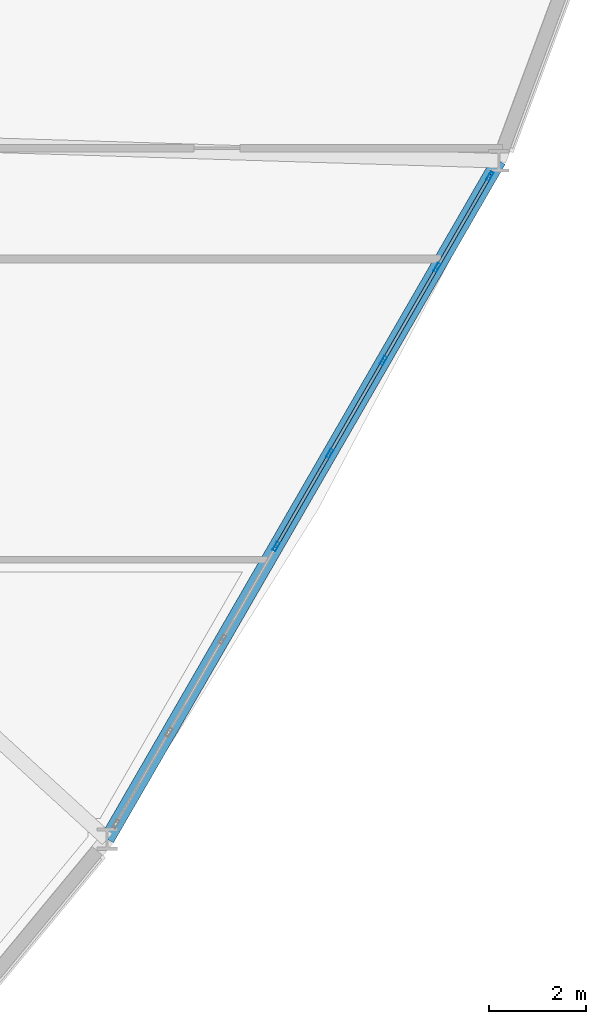
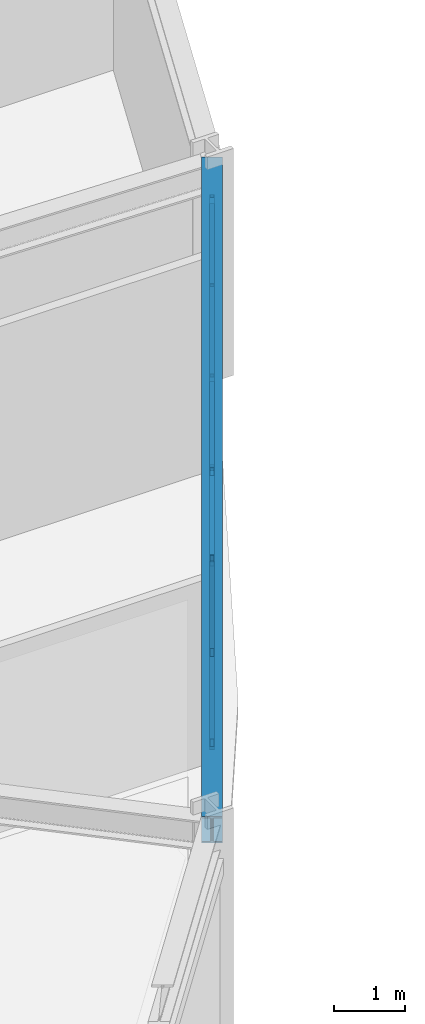
# One storey, part 9 of 23: 15 members, 1 beam, 1 element without a shape of its own.
"""IFC4 building model written with IfcOpenShell, lengths in metres."""

from ifc_helpers import new_model, si_unit, derived_unit, direction, frame, origin, origin_2d, place, context, subcontext, project, spatial, hollow_rectangle, i_section, extrude, source, transform, mapped, material, layer, layer_set, material_profile, profile_set, type_object, element, aggregate, save


model = new_model("IFC4")

# Units and contexts
model_context = context("Model", 3, precision=1e-05, world=origin(), true_north=direction((0.0, 1.0)))
body_context = subcontext(model_context, "Body", "Model", "MODEL_VIEW")
ifc_project = project(units=[si_unit("LENGTHUNIT", "METRE"), si_unit("AREAUNIT", "SQUARE_METRE"), si_unit("VOLUMEUNIT", "CUBIC_METRE"), si_unit("PLANEANGLEUNIT", "RADIAN"), si_unit("MASSUNIT", "GRAM", prefix="KILO"), derived_unit("THERMALTRANSMITTANCEUNIT", [(si_unit("POWERUNIT", "WATT"), 1), (si_unit("LENGTHUNIT", "METRE"), -2), (si_unit("THERMODYNAMICTEMPERATUREUNIT", "KELVIN"), -1)])], contexts=[model_context])

# Site, building, storey
site_placement = place(None, origin())
site = spatial("IfcSite", under=ifc_project, at=site_placement, CompositionType="ELEMENT")
building_placement = place(site_placement, origin())
building = spatial("IfcBuilding", under=site, at=building_placement, Name="Korsvarv Bourse and Concert Hall", CompositionType="ELEMENT")
storey_placement = place(building_placement, frame((0.0, 0.0, 24.0)))
storey = spatial("IfcBuildingStorey", under=building, at=storey_placement, Name="L05", CompositionType="ELEMENT", Elevation=24.0)

# Beam
ifc_material_1 = material(Name="Steel S355", Category="steel")
ifc_material_profile_1 = material_profile(ifc_material_1, i_section(OverallWidth=0.300048828125, OverallDepth=0.449951171875, WebThickness=0.013916015625, FlangeThickness=0.02587890625, FilletRadius=0.02099609375, at=origin_2d()), Name="HEB 450")
ifc_profile_set_1 = profile_set([ifc_material_profile_1], Name="Steel S355")
beam_type = type_object("IfcBeamType", Name="BM-HEB450", PredefinedType="SPANDREL", material=ifc_profile_set_1)
shared_shape_1 = source(origin(), body_context, "Body", "SweptSolid", [
    extrude(i_section(OverallWidth=0.300048828125, OverallDepth=0.449951171875, WebThickness=0.013916015625, FlangeThickness=0.02587890625, FilletRadius=0.02099609375, at=origin_2d()), origin(), (0.0, 0.0, 1.0), 16.195068359375),
])
beam_placement = place(storey_placement, frame((50.93212890625, 18.02880859375, 3.455078125), z_axis=(0.499993009725, 0.866029439584, 0.0), x_axis=(-0.866029439584, 0.499993009725, 0.0)))
element("IfcBeam", 1, at=beam_placement, inside=storey, type_object=beam_type, Name="L05 beam B-08", PredefinedType="SPANDREL", context=body_context, shape_type="MappedRepresentation", body=[
    mapped(shared_shape_1, transform((0.0, 0.0, 0.0), scale=1.0)),
])

# Curtain wall, members
ifc_material_2 = material(Name="Anodised aluminium and triple low-E glazing", Category="glass")
ifc_layer = layer(ifc_material_2, 0.219970703125)
ifc_layer_set = layer_set([ifc_layer], Name="Anodised aluminium and triple low-E glazing")
curtain_wall_type = type_object("IfcCurtainWallType", Name="CW-SYS-1", PredefinedType="NOTDEFINED", material=ifc_layer_set)
curtain_wall_placement = place(storey_placement, origin())
curtain_wall = element("IfcCurtainWall", 2, at=curtain_wall_placement, inside=storey, type_object=curtain_wall_type, Name="L05 CW1 curtain wall CW-L05-F11", PredefinedType="NOTDEFINED")
ifc_material_3 = material(Name="Extruded aluminium EN AW-6063 T66", Category="aluminium")
ifc_material_profile_2 = material_profile(ifc_material_3, hollow_rectangle(XDim=0.070068359375, YDim=0.18994140625, WallThickness=0.0048828125, at=origin_2d()), Name="ALU-M 70x190")
ifc_profile_set_2 = profile_set([ifc_material_profile_2], Name="Extruded aluminium EN AW-6063 T66")
member_type_1 = type_object("IfcMemberType", Name="CWM-190", PredefinedType="MULLION", material=ifc_profile_set_2)
shared_shape_2 = source(origin(), body_context, "Body", "SweptSolid", [
    extrude(hollow_rectangle(XDim=0.070068359375, YDim=0.18994140625, WallThickness=0.0048828125, at=origin_2d()), origin(), (0.0, 0.0, 1.0), 3.22998046875),
])
member_1_placement = place(storey_placement, frame((54.426025390625, 24.08056640625, 0.0), z_axis=(0.0, 0.0, 1.0), x_axis=(-0.866028517121, 0.499994607504, 0.0)))
member_1 = element("IfcMember", 3, at=member_1_placement, type_object=member_type_1, Name="CW1 mullion 4", PredefinedType="MULLION", context=body_context, shape_type="MappedRepresentation", body=[
    mapped(shared_shape_2, transform((0.0, 0.0, 0.0), scale=1.0)),
])
member_2_placement = place(storey_placement, frame((55.535400390625, 26.002197265625, 0.0), z_axis=(0.0, 0.0, 1.0), x_axis=(-0.866028517121, 0.499994607504, 0.0)))
member_2 = element("IfcMember", 4, at=member_2_placement, type_object=member_type_1, Name="CW1 mullion 5", PredefinedType="MULLION", context=body_context, shape_type="MappedRepresentation", body=[
    mapped(shared_shape_2, transform((0.0, 0.0, 0.0), scale=1.0)),
])
member_3_placement = place(storey_placement, frame((56.64501953125, 27.923828125, 0.0), z_axis=(0.0, 0.0, 1.0), x_axis=(-0.866028517121, 0.499994607504, 0.0)))
member_3 = element("IfcMember", 5, at=member_3_placement, type_object=member_type_1, Name="CW1 mullion 6", PredefinedType="MULLION", context=body_context, shape_type="MappedRepresentation", body=[
    mapped(shared_shape_2, transform((0.0, 0.0, 0.0), scale=1.0)),
])
member_4_placement = place(storey_placement, frame((57.75439453125, 29.845458984375, 0.0), z_axis=(0.0, 0.0, 1.0), x_axis=(-0.866028517121, 0.499994607504, 0.0)))
member_4 = element("IfcMember", 6, at=member_4_placement, type_object=member_type_1, Name="CW1 mullion 7", PredefinedType="MULLION", context=body_context, shape_type="MappedRepresentation", body=[
    mapped(shared_shape_2, transform((0.0, 0.0, 0.0), scale=1.0)),
])
member_5_placement = place(storey_placement, frame((58.84619140625, 31.73681640625, 0.0), z_axis=(0.0, 0.0, 1.0), x_axis=(-0.866028517121, 0.499994607504, 0.0)))
member_5 = element("IfcMember", 7, at=member_5_placement, type_object=member_type_1, Name="CW1 mullion 8", PredefinedType="MULLION", context=body_context, shape_type="MappedRepresentation", body=[
    mapped(shared_shape_2, transform((0.0, 0.0, 0.0), scale=1.0)),
])
ifc_material_profile_3 = material_profile(ifc_material_3, hollow_rectangle(XDim=0.06494140625, YDim=0.139892578125, WallThickness=0.00390625, at=origin_2d()), Name="ALU-T 65x140")
ifc_profile_set_3 = profile_set([ifc_material_profile_3], Name="Extruded aluminium EN AW-6063 T66")
member_type_2 = type_object("IfcMemberType", Name="CWT-140", PredefinedType="USERDEFINED", material=ifc_profile_set_3)
shared_shape_3 = source(origin(), body_context, "Body", "SweptSolid", [
    extrude(hollow_rectangle(XDim=0.06494140625, YDim=0.139892578125, WallThickness=0.00390625, at=origin_2d()), origin(), (0.0, 0.0, 1.0), 2.114013671875),
])
member_6_placement = place(storey_placement, frame((57.77197265625, 29.875732421875, 0.032470703125), z_axis=(0.499952388684, 0.866052890446, 0.0), x_axis=(-0.866052890446, 0.499952388684, 0.0)))
member_6 = element("IfcMember", 8, at=member_6_placement, type_object=member_type_2, Name="CW1 transom 7.1", ObjectType="TRANSOM", PredefinedType="USERDEFINED", context=body_context, shape_type="MappedRepresentation", body=[
    mapped(shared_shape_3, transform((0.0, 0.0, 0.0), scale=1.0)),
])
member_7_placement = place(storey_placement, frame((57.77197265625, 29.875732421875, 3.197509765625), z_axis=(0.499952388684, 0.866052890446, 0.0), x_axis=(-0.866052890446, 0.499952388684, 0.0)))
member_7 = element("IfcMember", 9, at=member_7_placement, type_object=member_type_2, Name="CW1 transom 7.2", ObjectType="TRANSOM", PredefinedType="USERDEFINED", context=body_context, shape_type="MappedRepresentation", body=[
    mapped(shared_shape_3, transform((0.0, 0.0, 0.0), scale=1.0)),
])
ifc_material_profile_4 = material_profile(ifc_material_3, hollow_rectangle(XDim=0.06494140625, YDim=0.1650390625, WallThickness=0.0048828125, at=origin_2d()), Name="ALU-M 65x165")
ifc_profile_set_4 = profile_set([ifc_material_profile_4], Name="Extruded aluminium EN AW-6063 T66")
member_type_3 = type_object("IfcMemberType", Name="CWM-165", PredefinedType="MULLION", material=ifc_profile_set_4)
shared_shape_4 = source(origin(), body_context, "Body", "SweptSolid", [
    extrude(hollow_rectangle(XDim=0.06494140625, YDim=0.1650390625, WallThickness=0.0048828125, at=origin_2d()), origin(), (0.0, 0.0, 1.0), 3.752197265625),
])
member_8_placement = place(storey_placement, frame((57.77197265625, 29.875732421875, 0.06494140625), z_axis=(0.281665956245, 0.48792169228, 0.826194112358), x_axis=(-0.866052890446, 0.499952388684, 0.0)))
member_8 = element("IfcMember", 10, at=member_8_placement, type_object=member_type_3, Name="CW1 diagonal mullion 7", PredefinedType="MULLION", context=body_context, shape_type="MappedRepresentation", body=[
    mapped(shared_shape_4, transform((0.0, 0.0, 0.0), scale=1.0)),
])
shared_shape_5 = source(origin(), body_context, "Body", "SweptSolid", [
    extrude(hollow_rectangle(XDim=0.06494140625, YDim=0.139892578125, WallThickness=0.00390625, at=origin_2d()), origin(), (0.0, 0.0, 1.0), 2.14892578125),
])
member_9_placement = place(storey_placement, frame((54.443603515625, 24.11083984375, 0.032470703125), z_axis=(0.499987977232, 0.866032345022, 0.0), x_axis=(-0.866032345022, 0.499987977232, 0.0)))
member_9 = element("IfcMember", 11, at=member_9_placement, type_object=member_type_2, Name="CW1 transom 4.1", ObjectType="TRANSOM", PredefinedType="USERDEFINED", context=body_context, shape_type="MappedRepresentation", body=[
    mapped(shared_shape_5, transform((0.0, 0.0, 0.0), scale=1.0)),
])
member_10_placement = place(storey_placement, frame((54.443603515625, 24.11083984375, 3.197509765625), z_axis=(0.499987977232, 0.866032345022, 0.0), x_axis=(-0.866032345022, 0.499987977232, 0.0)))
member_10 = element("IfcMember", 12, at=member_10_placement, type_object=member_type_2, Name="CW1 transom 4.2", ObjectType="TRANSOM", PredefinedType="USERDEFINED", context=body_context, shape_type="MappedRepresentation", body=[
    mapped(shared_shape_5, transform((0.0, 0.0, 0.0), scale=1.0)),
])
member_11_placement = place(storey_placement, frame((55.552978515625, 26.032470703125, 0.032470703125), z_axis=(0.499987977232, 0.866032345022, 0.0), x_axis=(-0.866032345022, 0.499987977232, 0.0)))
member_11 = element("IfcMember", 13, at=member_11_placement, type_object=member_type_2, Name="CW1 transom 5.1", ObjectType="TRANSOM", PredefinedType="USERDEFINED", context=body_context, shape_type="MappedRepresentation", body=[
    mapped(shared_shape_5, transform((0.0, 0.0, 0.0), scale=1.0)),
])
member_12_placement = place(storey_placement, frame((55.552978515625, 26.032470703125, 3.197509765625), z_axis=(0.499987977232, 0.866032345022, 0.0), x_axis=(-0.866032345022, 0.499987977232, 0.0)))
member_12 = element("IfcMember", 14, at=member_12_placement, type_object=member_type_2, Name="CW1 transom 5.2", ObjectType="TRANSOM", PredefinedType="USERDEFINED", context=body_context, shape_type="MappedRepresentation", body=[
    mapped(shared_shape_5, transform((0.0, 0.0, 0.0), scale=1.0)),
])
member_13_placement = place(storey_placement, frame((56.662353515625, 27.9541015625, 0.032470703125), z_axis=(0.499987977232, 0.866032345022, 0.0), x_axis=(-0.866032345022, 0.499987977232, 0.0)))
member_13 = element("IfcMember", 15, at=member_13_placement, type_object=member_type_2, Name="CW1 transom 6.1", ObjectType="TRANSOM", PredefinedType="USERDEFINED", context=body_context, shape_type="MappedRepresentation", body=[
    mapped(shared_shape_5, transform((0.0, 0.0, 0.0), scale=1.0)),
])
member_14_placement = place(storey_placement, frame((56.662353515625, 27.9541015625, 3.197509765625), z_axis=(0.499987977232, 0.866032345022, 0.0), x_axis=(-0.866032345022, 0.499987977232, 0.0)))
member_14 = element("IfcMember", 16, at=member_14_placement, type_object=member_type_2, Name="CW1 transom 6.2", ObjectType="TRANSOM", PredefinedType="USERDEFINED", context=body_context, shape_type="MappedRepresentation", body=[
    mapped(shared_shape_5, transform((0.0, 0.0, 0.0), scale=1.0)),
])
shared_shape_6 = source(origin(), body_context, "Body", "SweptSolid", [
    extrude(hollow_rectangle(XDim=0.06494140625, YDim=0.1650390625, WallThickness=0.0048828125, at=origin_2d()), origin(), (0.0, 0.0, 1.0), 3.772216796875),
])
member_15_placement = place(storey_placement, frame((55.51806640625, 25.971923828125, 0.06494140625), z_axis=(-0.284845041015, -0.493381901307, 0.821850109248), x_axis=(0.866032345022, -0.499987977232, 0.0)))
member_15 = element("IfcMember", 17, at=member_15_placement, type_object=member_type_3, Name="CW1 diagonal mullion 4", PredefinedType="MULLION", context=body_context, shape_type="MappedRepresentation", body=[
    mapped(shared_shape_6, transform((0.0, 0.0, 0.0), scale=1.0)),
])
aggregate(curtain_wall, [member_1, member_2, member_3, member_4, member_5, member_9, member_10, member_15, member_11, member_12, member_13, member_14, member_6, member_7, member_8])

save(model, "model.ifc")
